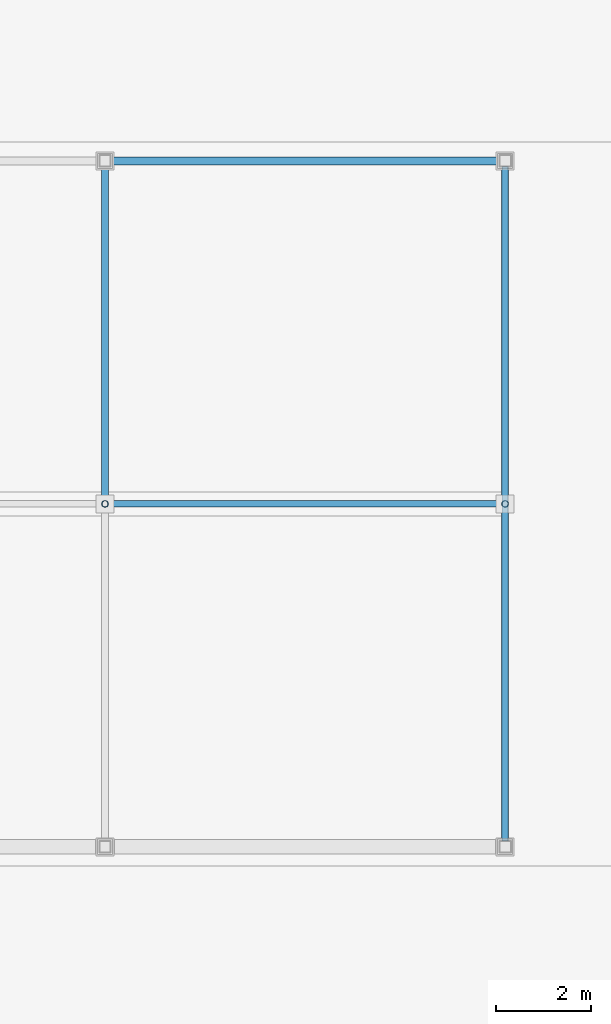
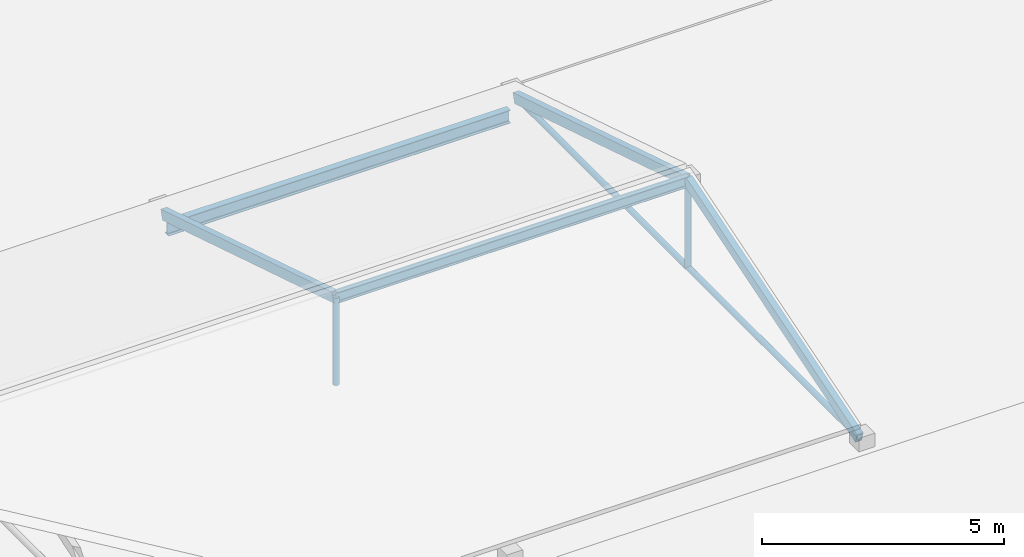
# One storey, part 6 of 16: 6 members, 2 beams.
"""IFC4 building model written with IfcOpenShell, lengths in metres."""

from ifc_helpers import new_model, si_unit, direction, frame, origin, origin_2d, place, context, subcontext, project, spatial, hollow_rectangle, hollow_circle, i_section, extrude, material, material_profile, profile_set, type_object, element, save


model = new_model("IFC4")

# Units and contexts
model_context = context("Model", 3, precision=1e-05, world=origin(), true_north=direction((0.0, 1.0)))
body_context = subcontext(model_context, "Body", "Model", "MODEL_VIEW")
ifc_project = project(units=[si_unit("LENGTHUNIT", "METRE"), si_unit("AREAUNIT", "SQUARE_METRE"), si_unit("VOLUMEUNIT", "CUBIC_METRE"), si_unit("PLANEANGLEUNIT", "RADIAN"), si_unit("MASSUNIT", "GRAM", prefix="KILO")], contexts=[model_context])

# Site, building, storey
site_placement = place(None, origin())
site = spatial("IfcSite", under=ifc_project, at=site_placement, CompositionType="ELEMENT")
building_placement = place(site_placement, origin())
building = spatial("IfcBuilding", under=site, at=building_placement, Name="Kenerak Square Central Library", CompositionType="ELEMENT")
storey_placement = place(building_placement, frame((0.0, 0.0, 27.840087890625)))
storey = spatial("IfcBuildingStorey", under=building, at=storey_placement, Name="L06", CompositionType="ELEMENT", Elevation=27.840087890625)

# Beam
ifc_material = material(Name="Steel S355", Category="steel")
ifc_material_profile_1 = material_profile(ifc_material, i_section(OverallWidth=0.159912109375, OverallDepth=0.330078125, WebThickness=0.007568359375, FlangeThickness=0.011474609375, FilletRadius=0.01806640625, at=origin_2d()), Name="IPE 330")
ifc_profile_set_1 = profile_set([ifc_material_profile_1], Name="Steel S355")
beam_type_1 = type_object("IfcBeamType", Name="Gallery Edge Steel Beam SB-10 IPE 330 S355", PredefinedType="BEAM", material=ifc_profile_set_1)
beam_1_placement = place(storey_placement, frame((92.1201171875, 74.39990234375, -0.364990234375), z_axis=(1.0, 0.0, 0.0), x_axis=(0.0, 1.0, 0.0)))
element("IfcBeam", 1, at=beam_1_placement, inside=storey, type_object=beam_type_1, Name="Lantern North Edge Beam SB-10 03", PredefinedType="BEAM", context=body_context, shape_type="SweptSolid", body=[
    extrude(i_section(OverallWidth=0.159912109375, OverallDepth=0.330078125, WebThickness=0.007568359375, FlangeThickness=0.011474609375, FilletRadius=0.01806640625, at=origin_2d()), origin(), (0.0, 0.0, 1.0), 8.159912109375),
])

# Members
ifc_material_profile_2 = material_profile(ifc_material, hollow_rectangle(XDim=0.14990234375, YDim=0.25, WallThickness=0.010009765625, at=origin_2d()), Name="RHS 250x150x10.0")
ifc_profile_set_2 = profile_set([ifc_material_profile_2], Name="Steel S355")
member_type_1 = type_object("IfcMemberType", Name="Lantern Roof Rafter GM-05 RHS 250x150x10 S355", PredefinedType="RAFTER", material=ifc_profile_set_2)
member_1_placement = place(storey_placement, frame((92.0, 74.280029296875, 0.10986328125), z_axis=(0.0, -0.954961540405, 0.2967296014), x_axis=(1.0, 0.0, 0.0)))
element("IfcMember", 2, at=member_1_placement, inside=storey, type_object=member_type_1, Name="Atrium Lantern Roof Rafter 0280", PredefinedType="RAFTER", context=body_context, shape_type="SweptSolid", body=[
    extrude(hollow_rectangle(XDim=0.14990234375, YDim=0.25, WallThickness=0.010009765625, at=origin_2d()), origin(), (0.0, 0.0, 1.0), 7.4140625),
])
member_2_placement = place(storey_placement, frame((100.39990234375, 60.1201171875, 0.10986328125), z_axis=(0.0, 0.954958640858, 0.296738932818), x_axis=(-1.0, 0.0, 0.0)))
element("IfcMember", 3, at=member_2_placement, inside=storey, type_object=member_type_1, Name="Atrium Lantern Roof Rafter 0283", PredefinedType="RAFTER", context=body_context, shape_type="SweptSolid", body=[
    extrude(hollow_rectangle(XDim=0.14990234375, YDim=0.25, WallThickness=0.010009765625, at=origin_2d()), origin(), (0.0, 0.0, 1.0), 7.413818359375),
])
member_3_placement = place(storey_placement, frame((100.39990234375, 74.280029296875, 0.10986328125), z_axis=(0.0, -0.954961540405, 0.2967296014), x_axis=(1.0, 0.0, 0.0)))
element("IfcMember", 4, at=member_3_placement, inside=storey, type_object=member_type_1, Name="Atrium Lantern Roof Rafter 0284", PredefinedType="RAFTER", context=body_context, shape_type="SweptSolid", body=[
    extrude(hollow_rectangle(XDim=0.14990234375, YDim=0.25, WallThickness=0.010009765625, at=origin_2d()), origin(), (0.0, 0.0, 1.0), 7.4140625),
])

# Beam
ifc_material_profile_3 = material_profile(ifc_material, i_section(OverallWidth=0.135009765625, OverallDepth=0.27001953125, WebThickness=0.006591796875, FlangeThickness=0.01025390625, FilletRadius=0.014892578125, at=origin_2d()), Name="IPE 270")
ifc_profile_set_3 = profile_set([ifc_material_profile_3], Name="Steel S355")
beam_type_2 = type_object("IfcBeamType", Name="Lantern Steel Joist SJ-03 IPE 270 S355", PredefinedType="JOIST", material=ifc_profile_set_3)
beam_2_placement = place(storey_placement, frame((92.0, 67.199951171875, 2.309814453125), z_axis=(1.0, 0.0, 0.0), x_axis=(0.0, 1.0, 0.0)))
element("IfcBeam", 5, at=beam_2_placement, inside=storey, type_object=beam_type_2, Name="Lantern Ridge Steel Joist SJ-03 03", PredefinedType="JOIST", context=body_context, shape_type="SweptSolid", body=[
    extrude(i_section(OverallWidth=0.135009765625, OverallDepth=0.27001953125, WebThickness=0.006591796875, FlangeThickness=0.01025390625, FilletRadius=0.014892578125, at=origin_2d()), origin(), (0.0, 0.0, 1.0), 8.39990234375),
])

# Members
ifc_material_profile_4 = material_profile(ifc_material, hollow_circle(Radius=0.06982421875, WallThickness=0.00634765625, at=origin_2d()), Name="CHS 139.7x6.3")
ifc_profile_set_4 = profile_set([ifc_material_profile_4], Name="Steel S355")
member_type_2 = type_object("IfcMemberType", Name="Lantern Tie Strut LT-01 CHS 139.7x6.3 S355", PredefinedType="STRUT", material=ifc_profile_set_4)
member_4_placement = place(storey_placement, frame((92.0, 67.199951171875, 0.10986328125), z_axis=(0.0, 0.0, 1.0), x_axis=(1.0, 0.0, 0.0)))
element("IfcMember", 6, at=member_4_placement, inside=storey, type_object=member_type_2, Name="Atrium Lantern King Post 0282", PredefinedType="STRUT", context=body_context, shape_type="SweptSolid", body=[
    extrude(hollow_circle(Radius=0.06982421875, WallThickness=0.00634765625, at=origin_2d()), origin(), (0.0, 0.0, 1.0), 2.199951171875),
])
member_5_placement = place(storey_placement, frame((100.39990234375, 60.1201171875, 0.10986328125), z_axis=(0.0, 1.0, 0.0), x_axis=(-1.0, 0.0, 0.0)))
element("IfcMember", 7, at=member_5_placement, inside=storey, type_object=member_type_2, Name="Atrium Lantern Tie Strut 0285", PredefinedType="STRUT", context=body_context, shape_type="SweptSolid", body=[
    extrude(hollow_circle(Radius=0.06982421875, WallThickness=0.00634765625, at=origin_2d()), origin(), (0.0, 0.0, 1.0), 14.159912109375),
])
member_6_placement = place(storey_placement, frame((100.39990234375, 67.199951171875, 0.10986328125), z_axis=(0.0, 0.0, 1.0), x_axis=(1.0, 0.0, 0.0)))
element("IfcMember", 8, at=member_6_placement, inside=storey, type_object=member_type_2, Name="Atrium Lantern King Post 0286", PredefinedType="STRUT", context=body_context, shape_type="SweptSolid", body=[
    extrude(hollow_circle(Radius=0.06982421875, WallThickness=0.00634765625, at=origin_2d()), origin(), (0.0, 0.0, 1.0), 2.199951171875),
])

save(model, "model.ifc")
